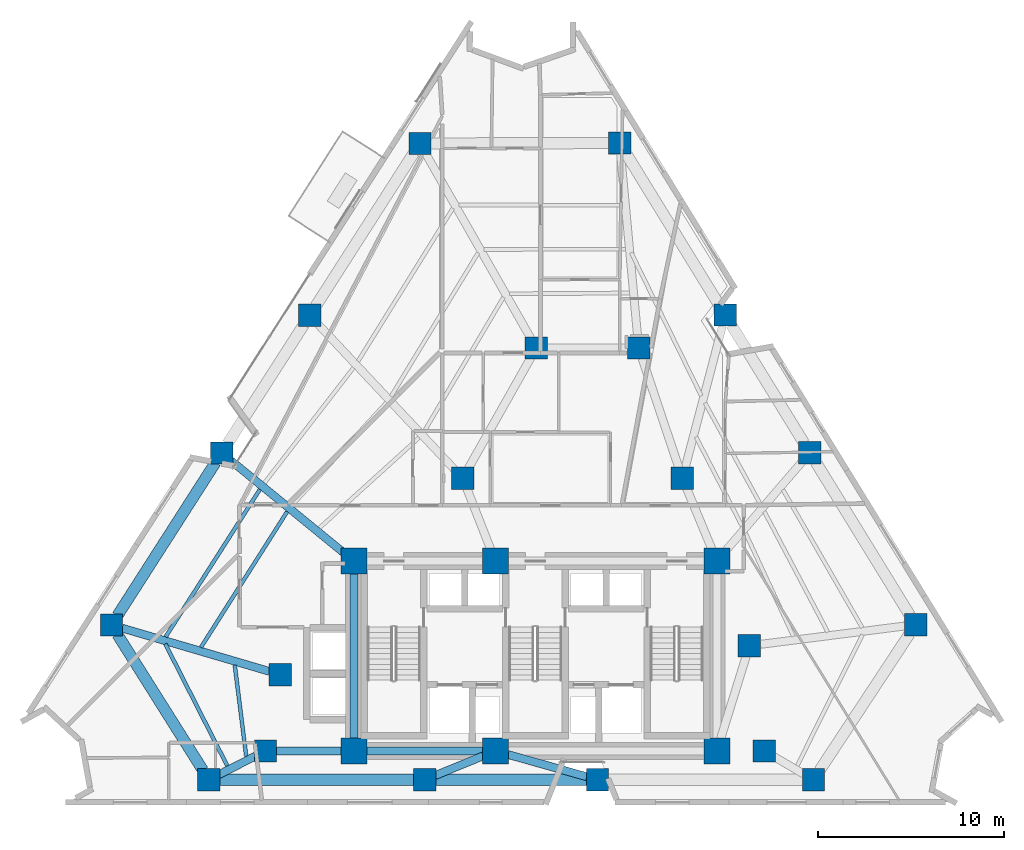
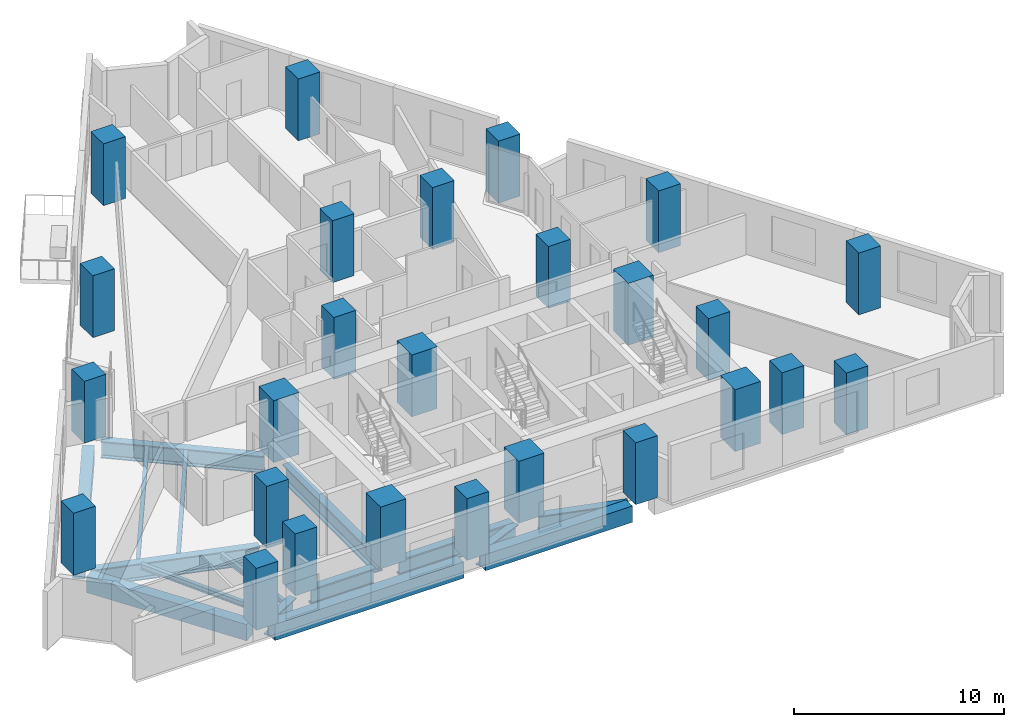
# One storey, part 1 of 13: 26 columns, 16 beams.
"""IFC4 building model written with IfcOpenShell, lengths in metres."""

from ifc_helpers import new_model, si_unit, direction, frame, origin, origin_2d, place, context, subcontext, project, spatial, rectangle, i_section, extrude, material, material_profile, profile_set, type_object, element, save


model = new_model("IFC4")

# Units and contexts
model_context = context("Model", 3, precision=1e-05, world=origin(), true_north=direction((0.0, 1.0)))
body_context = subcontext(model_context, "Body", "Model", "MODEL_VIEW")
ifc_project = project(units=[si_unit("LENGTHUNIT", "METRE"), si_unit("AREAUNIT", "SQUARE_METRE"), si_unit("VOLUMEUNIT", "CUBIC_METRE"), si_unit("PLANEANGLEUNIT", "RADIAN"), si_unit("MASSUNIT", "GRAM", prefix="KILO")], contexts=[model_context])

# Site, building, storey
site_placement = place(None, origin())
site = spatial("IfcSite", under=ifc_project, at=site_placement, CompositionType="ELEMENT")
building_placement = place(site_placement, origin())
building = spatial("IfcBuilding", under=site, at=building_placement, Name="Almagre Mirador Tower", CompositionType="ELEMENT")
storey_placement = place(building_placement, frame((0.0, 0.0, 82.199951171875)))
storey = spatial("IfcBuildingStorey", under=building, at=storey_placement, Name="L20", CompositionType="ELEMENT", Elevation=82.199951171875)

# Columns
ifc_material_1 = material(Name="Concrete C60/75", Category="concrete")
ifc_material_profile_1 = material_profile(ifc_material_1, rectangle(XDim=1.199951171875, YDim=1.199951171875, at=origin_2d()), Name="RC1200X1200")
ifc_profile_set_1 = profile_set([ifc_material_profile_1], Name="Concrete C60/75")
column_type_1 = type_object("IfcColumnType", Name="COL-RC1200", PredefinedType="COLUMN", material=ifc_profile_set_1)
for number, where, z_axis, x_axis, name in (
    (1, (22.800048828125, 4.550048828125, 0.0), (0.0, 0.0, 1.0), (1.0, 0.0, 0.0), "L20 interior transfer column MC1"),
    (2, (49.60009765625, 4.550048828125, 0.0), (0.0, 0.0, 1.0), (1.0, 0.0, 0.0), "L20 interior transfer column MC2"),
    (3, (48.800048828125, 10.199951171875, 0.0), (0.0, 0.0, 1.0), (1.0, 0.0, 0.0), "L20 interior transfer column MC3"),
    (4, (45.199951171875, 19.199951171875, 0.0), (0.0, 0.0, 1.0), (1.0, 0.0, 0.0), "L20 interior transfer column MC5"),
    (5, (42.85009765625, 26.199951171875, 0.0), (0.0, 0.0, 1.0), (1.0, 0.0, 0.0), "L20 interior transfer column MC6"),
    (6, (37.35009765625, 26.199951171875, 0.0), (0.0, 0.0, 1.0), (1.0, 0.0, 0.0), "L20 interior transfer column MC7"),
    (7, (33.39990234375, 19.199951171875, 0.0), (0.0, 0.0, 1.0), (1.0, 0.0, 0.0), "L20 interior transfer column MC8"),
    (8, (23.60009765625, 8.64990234375, 0.0), (0.0, 0.0, 1.0), (1.0, 0.0, 0.0), "L20 interior transfer column MC10"),
    (9, (19.760009765625, 3.0, 0.0), (0.0, 0.0, 1.0), (1.0, 0.0, 0.0), "L20 perimeter column PC01"),
    (10, (31.360107421875, 3.0, 0.0), (0.0, 0.0, 1.0), (1.0, 0.0, 0.0), "L20 perimeter column PC02"),
    (11, (40.639892578125, 3.0, 0.0), (0.0, 0.0, 1.0), (1.0, 0.0, 0.0), "L20 perimeter column PC03"),
    (12, (52.239990234375, 3.0, 0.0), (0.0, 0.0, 1.0), (1.0, 0.0, 0.0), "L20 perimeter column PC04"),
    (13, (57.72998046875, 11.3359375, 0.0), (0.0, 0.0, 1.0), (1.0, 0.0, 0.0), "L20 perimeter column PC05"),
    (14, (52.050048828125, 20.575927734375, 0.0), (0.0, 0.0, 1.0), (1.0, 0.0, 0.0), "L20 perimeter column PC06"),
    (15, (47.506103515625, 27.968017578125, 0.0), (0.0, 0.0, 1.0), (1.0, 0.0, 0.0), "L20 perimeter column PC07"),
    (16, (41.825927734375, 37.2080078125, 0.0), (0.0, 0.0, 1.0), (1.0, 0.0, 0.0), "L20 perimeter column PC08"),
    (17, (31.097900390625, 37.18896484375, 0.0), (0.0, 0.0, 1.0), (1.0, 0.0, 0.0), "L20 perimeter column PC09"),
    (18, (25.177978515625, 27.948974609375, 0.0), (0.0, 0.0, 1.0), (1.0, 0.0, 0.0), "L20 perimeter column PC10"),
    (19, (20.44189453125, 20.556884765625, 0.0), (0.0, 0.0, 1.0), (1.0, 0.0, 0.0), "L20 perimeter column PC11"),
    (20, (14.52197265625, 11.31689453125, 0.0), (0.0, 0.0, 1.0), (1.0, 0.0, 0.0), "L20 perimeter column PC12"),
):
    element("IfcColumn", number, at=place(storey_placement, frame(where, z_axis=z_axis, x_axis=x_axis)), inside=storey, type_object=column_type_1, Name=name, PredefinedType="COLUMN", context=body_context, shape_type="SweptSolid", body=[
        extrude(rectangle(XDim=1.199951171875, YDim=1.199951171875, at=origin_2d()), origin(), (0.0, 0.0, 1.0), 3.60009765625),
    ])
ifc_material_2 = material(Name="Concrete C60/75", Category="concrete")
ifc_material_profile_2 = material_profile(ifc_material_2, rectangle(XDim=1.39990234375, YDim=1.39990234375, at=origin_2d()), Name="RC1400X1400")
ifc_profile_set_2 = profile_set([ifc_material_profile_2], Name="Concrete C60/75")
column_type_2 = type_object("IfcColumnType", Name="COL-RC1400", PredefinedType="COLUMN", material=ifc_profile_set_2)
for number, where, z_axis, x_axis, name in (
    (21, (27.550048828125, 4.550048828125, 0.0), (0.0, 0.0, 1.0), (1.0, 0.0, 0.0), "L20 core spine column CC1"),
    (22, (35.14990234375, 4.550048828125, 0.0), (0.0, 0.0, 1.0), (1.0, 0.0, 0.0), "L20 core spine column CC2"),
    (23, (47.050048828125, 4.550048828125, 0.0), (0.0, 0.0, 1.0), (1.0, 0.0, 0.0), "L20 core spine column CC3"),
    (24, (27.550048828125, 14.75, 0.0), (0.0, 0.0, 1.0), (1.0, 0.0, 0.0), "L20 core spine column CC4"),
    (25, (35.14990234375, 14.75, 0.0), (0.0, 0.0, 1.0), (1.0, 0.0, 0.0), "L20 core spine column CC5"),
    (26, (47.050048828125, 14.75, 0.0), (0.0, 0.0, 1.0), (1.0, 0.0, 0.0), "L20 core spine column CC6"),
):
    element("IfcColumn", number, at=place(storey_placement, frame(where, z_axis=z_axis, x_axis=x_axis)), inside=storey, type_object=column_type_2, Name=name, PredefinedType="COLUMN", context=body_context, shape_type="SweptSolid", body=[
        extrude(rectangle(XDim=1.39990234375, YDim=1.39990234375, at=origin_2d()), origin(), (0.0, 0.0, 1.0), 3.60009765625),
    ])

# Beams
ifc_material_3 = material(Name="Steel ASTM A992 Grade 50", Category="steel")
ifc_material_profile_3 = material_profile(ifc_material_3, i_section(OverallWidth=0.205078125, OverallDepth=0.31005859375, WebThickness=0.009521484375, FlangeThickness=0.016357421875, FilletRadius=0.013916015625, at=origin_2d()), Name="W12X50")
ifc_profile_set_3 = profile_set([ifc_material_profile_3], Name="Steel ASTM A992 Grade 50")
beam_type_1 = type_object("IfcBeamType", Name="BM-JST-W12X50", PredefinedType="JOIST", material=ifc_profile_set_3)
beam_1_placement = place(storey_placement, frame((22.499755859375, 18.601318359375, -0.405029296875), z_axis=(-0.538691298847, -0.842503225244, 0.0), x_axis=(0.842503225244, -0.538691298847, 0.0)))
element("IfcBeam", 27, at=beam_1_placement, inside=storey, type_object=beam_type_1, Name="L20 secondary floor joist PC11-PC12.1", PredefinedType="JOIST", context=body_context, shape_type="SweptSolid", body=[
    extrude(i_section(OverallWidth=0.205078125, OverallDepth=0.31005859375, WebThickness=0.009521484375, FlangeThickness=0.016357421875, FilletRadius=0.013916015625, at=origin_2d()), origin(), (0.0, 0.0, 1.0), 9.40673828125),
])
beam_2_placement = place(storey_placement, frame((23.964599609375, 17.40478515625, -0.405029296875), z_axis=(-0.536295360878, -0.844030382096, 0.0), x_axis=(0.844030382096, -0.536295360878, 0.0)))
element("IfcBeam", 28, at=beam_2_placement, inside=storey, type_object=beam_type_1, Name="L20 secondary floor joist PC11-PC12.2", PredefinedType="JOIST", context=body_context, shape_type="SweptSolid", body=[
    extrude(i_section(OverallWidth=0.205078125, OverallDepth=0.31005859375, WebThickness=0.009521484375, FlangeThickness=0.016357421875, FilletRadius=0.013916015625, at=origin_2d()), origin(), (0.0, 0.0, 1.0), 8.634033203125),
])
beam_3_placement = place(storey_placement, frame((17.4140625, 10.30517578125, -0.405029296875), z_axis=(0.453201108241, -0.891408298979, 0.0), x_axis=(0.891408298979, 0.453201108241, 0.0)))
element("IfcBeam", 29, at=beam_3_placement, inside=storey, type_object=beam_type_1, Name="L20 secondary floor joist PC12-PC01.1", PredefinedType="JOIST", context=body_context, shape_type="SweptSolid", body=[
    extrude(i_section(OverallWidth=0.205078125, OverallDepth=0.31005859375, WebThickness=0.009521484375, FlangeThickness=0.016357421875, FilletRadius=0.013916015625, at=origin_2d()), origin(), (0.0, 0.0, 1.0), 7.35986328125),
])
beam_4_placement = place(storey_placement, frame((21.148681640625, 9.165771484375, -0.405029296875), z_axis=(0.124537963573, -0.992214843484, 0.0), x_axis=(0.992214843484, 0.124537963573, 0.0)))
element("IfcBeam", 30, at=beam_4_placement, inside=storey, type_object=beam_type_1, Name="L20 secondary floor joist PC12-PC01.3", PredefinedType="JOIST", context=body_context, shape_type="SweptSolid", body=[
    extrude(i_section(OverallWidth=0.205078125, OverallDepth=0.31005859375, WebThickness=0.009521484375, FlangeThickness=0.016357421875, FilletRadius=0.013916015625, at=origin_2d()), origin(), (0.0, 0.0, 1.0), 4.955810546875),
])
ifc_material_4 = material(Name="Precast concrete C50/60", Category="concrete")
ifc_material_profile_4 = material_profile(ifc_material_4, rectangle(XDim=0.60009765625, YDim=0.949951171875, at=origin_2d()), Name="RC600X950")
ifc_profile_set_4 = profile_set([ifc_material_profile_4], Name="Precast concrete C50/60")
beam_type_2 = type_object("IfcBeamType", Name="BM-SPN-RC600X950", PredefinedType="SPANDREL", material=ifc_profile_set_4)
beam_5_placement = place(storey_placement, frame((20.360107421875, 3.0, -0.724853515625), z_axis=(1.0, 0.0, 0.0), x_axis=(0.0, 1.0, 0.0)))
element("IfcBeam", 31, at=beam_5_placement, inside=storey, type_object=beam_type_2, Name="L20 perimeter spandrel beam PC01-PC02", PredefinedType="SPANDREL", context=body_context, shape_type="SweptSolid", body=[
    extrude(rectangle(XDim=0.60009765625, YDim=0.949951171875, at=origin_2d()), origin(), (0.0, 0.0, 1.0), 10.39990234375),
])
beam_6_placement = place(storey_placement, frame((31.9599609375, 3.0, -0.724853515625), z_axis=(1.0, 0.0, 0.0), x_axis=(0.0, 1.0, 0.0)))
element("IfcBeam", 32, at=beam_6_placement, inside=storey, type_object=beam_type_2, Name="L20 perimeter spandrel beam PC02-PC03", PredefinedType="SPANDREL", context=body_context, shape_type="SweptSolid", body=[
    extrude(rectangle(XDim=0.60009765625, YDim=0.949951171875, at=origin_2d()), origin(), (0.0, 0.0, 1.0), 8.080078125),
])
beam_7_placement = place(storey_placement, frame((20.118408203125, 20.0517578125, -0.724853515625), z_axis=(-0.539476801219, -0.842000463745, 0.0), x_axis=(0.842000463745, -0.539476801219, 0.0)))
element("IfcBeam", 33, at=beam_7_placement, inside=storey, type_object=beam_type_2, Name="L20 perimeter spandrel beam PC11-PC12", PredefinedType="SPANDREL", context=body_context, shape_type="SweptSolid", body=[
    extrude(rectangle(XDim=0.60009765625, YDim=0.949951171875, at=origin_2d()), origin(), (0.0, 0.0, 1.0), 9.773681640625),
])
beam_8_placement = place(storey_placement, frame((14.841796875, 10.809326171875, -0.724853515625), z_axis=(0.532907818856, -0.846173301754, 0.0), x_axis=(0.846173301754, 0.532907818856, 0.0)))
element("IfcBeam", 34, at=beam_8_placement, inside=storey, type_object=beam_type_2, Name="L20 perimeter spandrel beam PC12-PC01", PredefinedType="SPANDREL", context=body_context, shape_type="SweptSolid", body=[
    extrude(rectangle(XDim=0.60009765625, YDim=0.949951171875, at=origin_2d()), origin(), (0.0, 0.0, 1.0), 8.62890625),
])
ifc_material_5 = material(Name="Steel ASTM A992 Grade 50", Category="steel")
ifc_material_profile_5 = material_profile(ifc_material_5, i_section(OverallWidth=0.427978515625, OverallDepth=0.97509765625, WebThickness=0.031005859375, FlangeThickness=0.055908203125, FilletRadius=0.028076171875, at=origin_2d()), Name="W36X395")
ifc_profile_set_5 = profile_set([ifc_material_profile_5], Name="Steel ASTM A992 Grade 50")
beam_type_3 = type_object("IfcBeamType", Name="BM-STL-W36X395", PredefinedType="BEAM", material=ifc_profile_set_5)
beam_9_placement = place(storey_placement, frame((20.29443359375, 3.2724609375, -0.737548828125), z_axis=(0.890845728366, 0.454305941247, 0.0), x_axis=(-0.454305941247, 0.890845728366, 0.0)))
element("IfcBeam", 35, at=beam_9_placement, inside=storey, type_object=beam_type_3, Name="L20 radial floor girder PC01-MC1", PredefinedType="BEAM", context=body_context, shape_type="SweptSolid", body=[
    extrude(i_section(OverallWidth=0.427978515625, OverallDepth=0.97509765625, WebThickness=0.031005859375, FlangeThickness=0.055908203125, FilletRadius=0.028076171875, at=origin_2d()), origin(), (0.0, 0.0, 1.0), 2.21240234375),
])
beam_10_placement = place(storey_placement, frame((31.915283203125, 3.22705078125, -0.737548828125), z_axis=(0.925599823227, 0.378503589472, 0.0), x_axis=(-0.378503589472, 0.925599823227, 0.0)))
element("IfcBeam", 36, at=beam_10_placement, inside=storey, type_object=beam_type_3, Name="L20 radial floor girder PC02-CC2", PredefinedType="BEAM", context=body_context, shape_type="SweptSolid", body=[
    extrude(i_section(OverallWidth=0.427978515625, OverallDepth=0.97509765625, WebThickness=0.031005859375, FlangeThickness=0.055908203125, FilletRadius=0.028076171875, at=origin_2d()), origin(), (0.0, 0.0, 1.0), 2.794921875),
])
beam_11_placement = place(storey_placement, frame((40.0625, 3.1630859375, -0.737548828125), z_axis=(-0.962376859891, 0.271718198778, 0.0), x_axis=(-0.271718198778, -0.962376859891, 0.0)))
element("IfcBeam", 37, at=beam_11_placement, inside=storey, type_object=beam_type_3, Name="L20 radial floor girder PC03-CC2", PredefinedType="BEAM", context=body_context, shape_type="SweptSolid", body=[
    extrude(i_section(OverallWidth=0.427978515625, OverallDepth=0.97509765625, WebThickness=0.031005859375, FlangeThickness=0.055908203125, FilletRadius=0.028076171875, at=origin_2d()), origin(), (0.0, 0.0, 1.0), 4.404541015625),
])
beam_12_placement = place(storey_placement, frame((20.90673828125, 20.177490234375, -0.737548828125), z_axis=(0.774403065798, -0.632692572805, 0.0), x_axis=(0.632692572805, 0.774403065798, 0.0)))
element("IfcBeam", 38, at=beam_12_placement, inside=storey, type_object=beam_type_3, Name="L20 radial floor girder PC11-CC4", PredefinedType="BEAM", context=body_context, shape_type="SweptSolid", body=[
    extrude(i_section(OverallWidth=0.427978515625, OverallDepth=0.97509765625, WebThickness=0.031005859375, FlangeThickness=0.055908203125, FilletRadius=0.028076171875, at=origin_2d()), origin(), (0.0, 0.0, 1.0), 7.87841796875),
])
beam_13_placement = place(storey_placement, frame((15.09765625, 11.14794921875, -0.737548828125), z_axis=(0.959448747286, -0.281883134174, 0.0), x_axis=(0.281883134174, 0.959448747286, 0.0)))
element("IfcBeam", 39, at=beam_13_placement, inside=storey, type_object=beam_type_3, Name="L20 radial floor girder PC12-MC10", PredefinedType="BEAM", context=body_context, shape_type="SweptSolid", body=[
    extrude(i_section(OverallWidth=0.427978515625, OverallDepth=0.97509765625, WebThickness=0.031005859375, FlangeThickness=0.055908203125, FilletRadius=0.028076171875, at=origin_2d()), origin(), (0.0, 0.0, 1.0), 8.26171875),
])
ifc_material_6 = material(Name="Steel ASTM A992 Grade 50", Category="steel")
ifc_material_profile_6 = material_profile(ifc_material_6, i_section(OverallWidth=0.43701171875, OverallDepth=1.010986328125, WebThickness=0.041015625, FlangeThickness=0.073974609375, FilletRadius=0.028076171875, at=origin_2d()), Name="W36X529")
ifc_profile_set_6 = profile_set([ifc_material_profile_6], Name="Steel ASTM A992 Grade 50")
beam_type_4 = type_object("IfcBeamType", Name="BM-STL-W36X529", PredefinedType="BEAM", material=ifc_profile_set_6)
beam_14_placement = place(storey_placement, frame((28.25, 4.550048828125, -0.75537109375), z_axis=(1.0, 0.0, 0.0), x_axis=(0.0, 1.0, 0.0)))
element("IfcBeam", 40, at=beam_14_placement, inside=storey, type_object=beam_type_4, Name="L20 core tie girder CC1-CC2", PredefinedType="BEAM", context=body_context, shape_type="SweptSolid", body=[
    extrude(i_section(OverallWidth=0.43701171875, OverallDepth=1.010986328125, WebThickness=0.041015625, FlangeThickness=0.073974609375, FilletRadius=0.028076171875, at=origin_2d()), origin(), (0.0, 0.0, 1.0), 6.199951171875),
])
beam_15_placement = place(storey_placement, frame((27.550048828125, 5.25, -0.75537109375), z_axis=(0.0, 1.0, 0.0), x_axis=(-1.0, 0.0, 0.0)))
element("IfcBeam", 41, at=beam_15_placement, inside=storey, type_object=beam_type_4, Name="L20 core tie girder CC1-CC4", PredefinedType="BEAM", context=body_context, shape_type="SweptSolid", body=[
    extrude(i_section(OverallWidth=0.43701171875, OverallDepth=1.010986328125, WebThickness=0.041015625, FlangeThickness=0.073974609375, FilletRadius=0.028076171875, at=origin_2d()), origin(), (0.0, 0.0, 1.0), 8.800048828125),
])
beam_16_placement = place(storey_placement, frame((23.39990234375, 4.550048828125, -0.75537109375), z_axis=(1.0, 0.0, 0.0), x_axis=(0.0, 1.0, 0.0)))
element("IfcBeam", 42, at=beam_16_placement, inside=storey, type_object=beam_type_4, Name="L20 core tie girder MC1-CC1", PredefinedType="BEAM", context=body_context, shape_type="SweptSolid", body=[
    extrude(i_section(OverallWidth=0.43701171875, OverallDepth=1.010986328125, WebThickness=0.041015625, FlangeThickness=0.073974609375, FilletRadius=0.028076171875, at=origin_2d()), origin(), (0.0, 0.0, 1.0), 3.4501953125),
])

save(model, "model.ifc")
